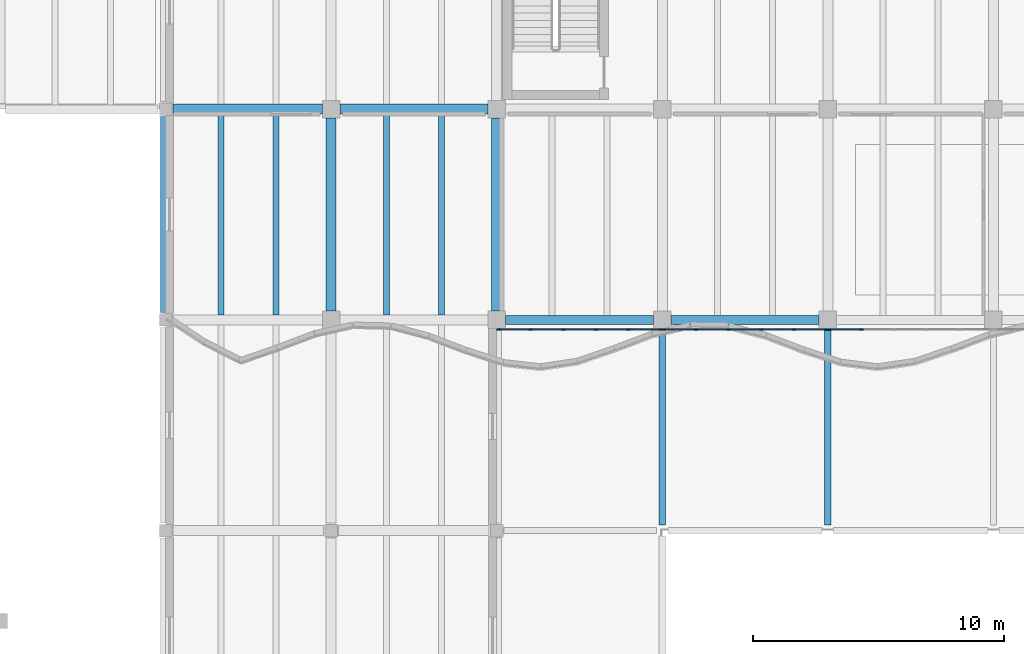
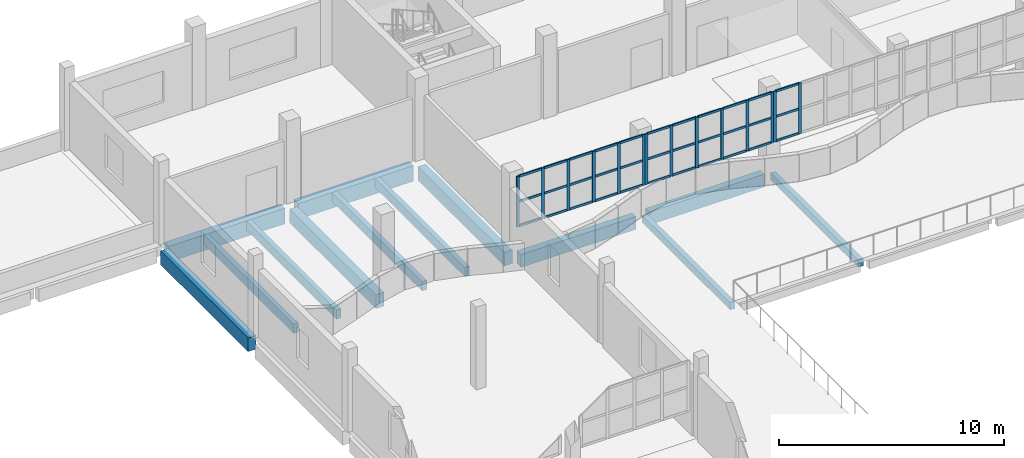
# One storey, part 10 of 83: 47 members, 13 beams, 3 elements without a shape of their own.
"""IFC4 building model written with IfcOpenShell, lengths in metres."""

from ifc_helpers import new_model, si_unit, direction, frame, origin, origin_2d, place, context, subcontext, project, spatial, rectangle, extrude, material, material_profile, profile_set, type_object, element, aggregate, save


model = new_model("IFC4")

# Units and contexts
model_context = context("Model", 3, precision=1e-05, world=origin(), true_north=direction((0.0, 1.0)))
body_context = subcontext(model_context, "Body", "Model", "MODEL_VIEW")
ifc_project = project(units=[si_unit("LENGTHUNIT", "METRE"), si_unit("AREAUNIT", "SQUARE_METRE"), si_unit("VOLUMEUNIT", "CUBIC_METRE"), si_unit("PLANEANGLEUNIT", "RADIAN"), si_unit("MASSUNIT", "GRAM", prefix="KILO")], contexts=[model_context])

# Site, building, storey
site_placement = place(None, origin())
site = spatial("IfcSite", under=ifc_project, at=site_placement, CompositionType="ELEMENT")
building_placement = place(site_placement, origin())
building = spatial("IfcBuilding", under=site, at=building_placement, Name="Qaldarim Faculty of Natural and Applied Sciences", CompositionType="ELEMENT")
storey_placement = place(building_placement, frame((0.0, 0.0, 5.39990234375)))
storey = spatial("IfcBuildingStorey", under=building, at=storey_placement, Name="L01", CompositionType="ELEMENT", Elevation=5.39990234375)

# Beams
ifc_material_1 = material(Name="Concrete C40/50", Category="concrete")
ifc_material_profile_1 = material_profile(ifc_material_1, rectangle(XDim=0.25, YDim=0.39990234375, at=origin_2d()), Name="RC-LN250x400")
ifc_profile_set_1 = profile_set([ifc_material_profile_1], Name="Concrete C40/50")
beam_type_1 = type_object("IfcBeamType", Name="ArcadeLintel-RC250x400", PredefinedType="LINTEL", material=ifc_profile_set_1)
for number, where, z_axis, x_axis, name in (
    (1, (52.800048828125, 92.625, -0.39990234375), (0.0, 1.0, 0.0), (-1.0, 0.0, 0.0), "Beam RC-LN250x400 L00 X09/Y12-Y13"),
    (2, (59.39990234375, 92.625, -0.39990234375), (0.0, 1.0, 0.0), (-1.0, 0.0, 0.0), "Beam RC-LN250x400 L00 X10/Y12-Y13"),
):
    element("IfcBeam", number, at=place(storey_placement, frame(where, z_axis=z_axis, x_axis=x_axis)), inside=storey, type_object=beam_type_1, Name=name, PredefinedType="LINTEL", context=body_context, shape_type="SweptSolid", body=[
        extrude(rectangle(XDim=0.25, YDim=0.39990234375, at=origin_2d()), origin(), (0.0, 0.0, 1.0), 7.824951171875),
    ])
ifc_material_profile_2 = material_profile(ifc_material_1, rectangle(XDim=0.239990234375, YDim=0.5, at=origin_2d()), Name="RC-J240x500")
ifc_profile_set_2 = profile_set([ifc_material_profile_2], Name="Concrete C40/50")
beam_type_2 = type_object("IfcBeamType", Name="HeavyJoist-RC240x500", PredefinedType="JOIST", material=ifc_profile_set_2)
for number, where, z_axis, x_axis, name in (
    (3, (35.199951171875, 101.0, -0.5498046875), (0.0, 1.0, 0.0), (-1.0, 0.0, 0.0), "Laboratory joist L00 bay X06Y13-1"),
    (4, (37.39990234375, 101.0, -0.5498046875), (0.0, 1.0, 0.0), (-1.0, 0.0, 0.0), "Laboratory joist L00 bay X06Y13-2"),
    (5, (41.800048828125, 101.0, -0.5498046875), (0.0, 1.0, 0.0), (-1.0, 0.0, 0.0), "Laboratory joist L00 bay X07Y13-1"),
    (6, (44.0, 101.0, -0.5498046875), (0.0, 1.0, 0.0), (-1.0, 0.0, 0.0), "Laboratory joist L00 bay X07Y13-2"),
):
    element("IfcBeam", number, at=place(storey_placement, frame(where, z_axis=z_axis, x_axis=x_axis)), inside=storey, type_object=beam_type_2, Name=name, PredefinedType="JOIST", context=body_context, shape_type="SweptSolid", body=[
        extrude(rectangle(XDim=0.239990234375, YDim=0.5, at=origin_2d()), origin(), (0.0, 0.0, 1.0), 8.0),
    ])
ifc_material_2 = material(Name="Concrete C50/60", Category="concrete")
ifc_material_profile_3 = material_profile(ifc_material_2, rectangle(XDim=0.39990234375, YDim=0.75, at=origin_2d()), Name="RC-B400x750")
ifc_profile_set_3 = profile_set([ifc_material_profile_3], Name="Concrete C50/60")
beam_type_3 = type_object("IfcBeamType", Name="LabGirder-RC400x750", PredefinedType="BEAM", material=ifc_profile_set_3)
beam_1_placement = place(storey_placement, frame((33.0, 101.10009765625, -0.6748046875), z_axis=(0.0, 1.0, 0.0), x_axis=(-1.0, 0.0, 0.0)))
element("IfcBeam", 7, at=beam_1_placement, inside=storey, type_object=beam_type_3, Name="Beam RC-B400x750 L00 X06/Y13-Y14", PredefinedType="BEAM", context=body_context, shape_type="SweptSolid", body=[
    extrude(rectangle(XDim=0.39990234375, YDim=0.75, at=origin_2d()), origin(), (0.0, 0.0, 1.0), 7.7998046875),
])
for number, where, z_axis, x_axis, name in (
    (8, (39.60009765625, 101.14990234375, -0.6748046875), (0.0, 1.0, 0.0), (-1.0, 0.0, 0.0), "Beam RC-B400x750 L00 X07/Y13-Y14"),
    (9, (46.199951171875, 101.14990234375, -0.6748046875), (0.0, 1.0, 0.0), (-1.0, 0.0, 0.0), "Beam RC-B400x750 L00 X08/Y13-Y14"),
):
    element("IfcBeam", number, at=place(storey_placement, frame(where, z_axis=z_axis, x_axis=x_axis)), inside=storey, type_object=beam_type_3, Name=name, PredefinedType="BEAM", context=body_context, shape_type="SweptSolid", body=[
        extrude(rectangle(XDim=0.39990234375, YDim=0.75, at=origin_2d()), origin(), (0.0, 0.0, 1.0), 7.7001953125),
    ])

# Curtain wall, members
ifc_material_3 = material(Name="Anodised aluminium AW-6063", Category="aluminium")
curtain_wall_type = type_object("IfcCurtainWallType", Name="CurtainWallSystem-M1400", PredefinedType="USERDEFINED", material=ifc_material_3)
curtain_wall_1_placement = place(storey_placement, origin())
curtain_wall_1 = element("IfcCurtainWall", 10, at=curtain_wall_1_placement, inside=storey, type_object=curtain_wall_type, Name="Curtain wall CW-V4RIB-L01-X08", ObjectType="STICK CURTAIN WALL", PredefinedType="USERDEFINED")
ifc_material_profile_4 = material_profile(ifc_material_3, rectangle(XDim=0.06005859375, YDim=0.14990234375, at=origin_2d()), Name="ALU-M60x150")
ifc_profile_set_4 = profile_set([ifc_material_profile_4], Name="Anodised aluminium AW-6063")
member_type_1 = type_object("IfcMemberType", Name="Mullion-ALU60x150", PredefinedType="MULLION", material=ifc_profile_set_4)
member_1_placement = place(storey_placement, frame((46.27001953125, 100.419921875, 1.4501953125), z_axis=(0.0, 0.0, 1.0), x_axis=(0.0, 1.0, 0.0)))
member_1 = element("IfcMember", 11, at=member_1_placement, type_object=member_type_1, Name="Mullion 1 of CW-V4RIB-L01-X08", PredefinedType="MULLION", context=body_context, shape_type="SweptSolid", body=[
    extrude(rectangle(XDim=0.06005859375, YDim=0.14990234375, at=origin_2d()), origin(), (0.0, 0.0, 1.0), 2.75),
])
member_2_placement = place(storey_placement, frame((47.5439453125, 100.419921875, 1.4501953125), z_axis=(0.0, 0.0, 1.0), x_axis=(0.0, 1.0, 0.0)))
member_2 = element("IfcMember", 12, at=member_2_placement, type_object=member_type_1, Name="Mullion 2 of CW-V4RIB-L01-X08", PredefinedType="MULLION", context=body_context, shape_type="SweptSolid", body=[
    extrude(rectangle(XDim=0.06005859375, YDim=0.14990234375, at=origin_2d()), origin(), (0.0, 0.0, 1.0), 2.75),
])
member_3_placement = place(storey_placement, frame((48.847900390625, 100.419921875, 1.4501953125), z_axis=(0.0, 0.0, 1.0), x_axis=(0.0, 1.0, 0.0)))
member_3 = element("IfcMember", 13, at=member_3_placement, type_object=member_type_1, Name="Mullion 3 of CW-V4RIB-L01-X08", PredefinedType="MULLION", context=body_context, shape_type="SweptSolid", body=[
    extrude(rectangle(XDim=0.06005859375, YDim=0.14990234375, at=origin_2d()), origin(), (0.0, 0.0, 1.0), 2.75),
])
member_4_placement = place(storey_placement, frame((50.152099609375, 100.419921875, 1.4501953125), z_axis=(0.0, 0.0, 1.0), x_axis=(0.0, 1.0, 0.0)))
member_4 = element("IfcMember", 14, at=member_4_placement, type_object=member_type_1, Name="Mullion 4 of CW-V4RIB-L01-X08", PredefinedType="MULLION", context=body_context, shape_type="SweptSolid", body=[
    extrude(rectangle(XDim=0.06005859375, YDim=0.14990234375, at=origin_2d()), origin(), (0.0, 0.0, 1.0), 2.75),
])
member_5_placement = place(storey_placement, frame((51.4560546875, 100.419921875, 1.4501953125), z_axis=(0.0, 0.0, 1.0), x_axis=(0.0, 1.0, 0.0)))
member_5 = element("IfcMember", 15, at=member_5_placement, type_object=member_type_1, Name="Mullion 5 of CW-V4RIB-L01-X08", PredefinedType="MULLION", context=body_context, shape_type="SweptSolid", body=[
    extrude(rectangle(XDim=0.06005859375, YDim=0.14990234375, at=origin_2d()), origin(), (0.0, 0.0, 1.0), 2.75),
])
member_6_placement = place(storey_placement, frame((52.72998046875, 100.419921875, 1.4501953125), z_axis=(0.0, 0.0, 1.0), x_axis=(0.0, 1.0, 0.0)))
member_6 = element("IfcMember", 16, at=member_6_placement, type_object=member_type_1, Name="Mullion 6 of CW-V4RIB-L01-X08", PredefinedType="MULLION", context=body_context, shape_type="SweptSolid", body=[
    extrude(rectangle(XDim=0.06005859375, YDim=0.14990234375, at=origin_2d()), origin(), (0.0, 0.0, 1.0), 2.75),
])

curtain_wall_2_placement = place(storey_placement, origin())
curtain_wall_2 = element("IfcCurtainWall", 17, at=curtain_wall_2_placement, inside=storey, type_object=curtain_wall_type, Name="Curtain wall CW-V4RIB-L01-X09", ObjectType="STICK CURTAIN WALL", PredefinedType="USERDEFINED")
member_7_placement = place(storey_placement, frame((52.8701171875, 100.419921875, 1.4501953125), z_axis=(0.0, 0.0, 1.0), x_axis=(0.0, 1.0, 0.0)))
member_7 = element("IfcMember", 18, at=member_7_placement, type_object=member_type_1, Name="Mullion 1 of CW-V4RIB-L01-X09", PredefinedType="MULLION", context=body_context, shape_type="SweptSolid", body=[
    extrude(rectangle(XDim=0.06005859375, YDim=0.14990234375, at=origin_2d()), origin(), (0.0, 0.0, 1.0), 2.75),
])
member_8_placement = place(storey_placement, frame((54.14404296875, 100.419921875, 1.4501953125), z_axis=(0.0, 0.0, 1.0), x_axis=(0.0, 1.0, 0.0)))
member_8 = element("IfcMember", 19, at=member_8_placement, type_object=member_type_1, Name="Mullion 2 of CW-V4RIB-L01-X09", PredefinedType="MULLION", context=body_context, shape_type="SweptSolid", body=[
    extrude(rectangle(XDim=0.06005859375, YDim=0.14990234375, at=origin_2d()), origin(), (0.0, 0.0, 1.0), 2.75),
])
member_9_placement = place(storey_placement, frame((55.447998046875, 100.419921875, 1.4501953125), z_axis=(0.0, 0.0, 1.0), x_axis=(0.0, 1.0, 0.0)))
member_9 = element("IfcMember", 20, at=member_9_placement, type_object=member_type_1, Name="Mullion 3 of CW-V4RIB-L01-X09", PredefinedType="MULLION", context=body_context, shape_type="SweptSolid", body=[
    extrude(rectangle(XDim=0.06005859375, YDim=0.14990234375, at=origin_2d()), origin(), (0.0, 0.0, 1.0), 2.75),
])
member_10_placement = place(storey_placement, frame((56.751953125, 100.419921875, 1.4501953125), z_axis=(0.0, 0.0, 1.0), x_axis=(0.0, 1.0, 0.0)))
member_10 = element("IfcMember", 21, at=member_10_placement, type_object=member_type_1, Name="Mullion 4 of CW-V4RIB-L01-X09", PredefinedType="MULLION", context=body_context, shape_type="SweptSolid", body=[
    extrude(rectangle(XDim=0.06005859375, YDim=0.14990234375, at=origin_2d()), origin(), (0.0, 0.0, 1.0), 2.75),
])
member_11_placement = place(storey_placement, frame((58.055908203125, 100.419921875, 1.4501953125), z_axis=(0.0, 0.0, 1.0), x_axis=(0.0, 1.0, 0.0)))
member_11 = element("IfcMember", 22, at=member_11_placement, type_object=member_type_1, Name="Mullion 5 of CW-V4RIB-L01-X09", PredefinedType="MULLION", context=body_context, shape_type="SweptSolid", body=[
    extrude(rectangle(XDim=0.06005859375, YDim=0.14990234375, at=origin_2d()), origin(), (0.0, 0.0, 1.0), 2.75),
])
member_12_placement = place(storey_placement, frame((59.330078125, 100.419921875, 1.4501953125), z_axis=(0.0, 0.0, 1.0), x_axis=(0.0, 1.0, 0.0)))
member_12 = element("IfcMember", 23, at=member_12_placement, type_object=member_type_1, Name="Mullion 6 of CW-V4RIB-L01-X09", PredefinedType="MULLION", context=body_context, shape_type="SweptSolid", body=[
    extrude(rectangle(XDim=0.06005859375, YDim=0.14990234375, at=origin_2d()), origin(), (0.0, 0.0, 1.0), 2.75),
])

curtain_wall_3_placement = place(storey_placement, origin())
curtain_wall_3 = element("IfcCurtainWall", 24, at=curtain_wall_3_placement, inside=storey, type_object=curtain_wall_type, Name="Curtain wall CW-V4RIB-L01-X10", ObjectType="STICK CURTAIN WALL", PredefinedType="USERDEFINED")
member_13_placement = place(storey_placement, frame((59.469970703125, 100.419921875, 1.4501953125), z_axis=(0.0, 0.0, 1.0), x_axis=(0.0, 1.0, 0.0)))
member_13 = element("IfcMember", 25, at=member_13_placement, type_object=member_type_1, Name="Mullion 1 of CW-V4RIB-L01-X10", PredefinedType="MULLION", context=body_context, shape_type="SweptSolid", body=[
    extrude(rectangle(XDim=0.06005859375, YDim=0.14990234375, at=origin_2d()), origin(), (0.0, 0.0, 1.0), 2.75),
])
member_14_placement = place(storey_placement, frame((60.743896484375, 100.419921875, 1.4501953125), z_axis=(0.0, 0.0, 1.0), x_axis=(0.0, 1.0, 0.0)))
member_14 = element("IfcMember", 26, at=member_14_placement, type_object=member_type_1, Name="Mullion 2 of CW-V4RIB-L01-X10", PredefinedType="MULLION", context=body_context, shape_type="SweptSolid", body=[
    extrude(rectangle(XDim=0.06005859375, YDim=0.14990234375, at=origin_2d()), origin(), (0.0, 0.0, 1.0), 2.75),
])

# Beams
ifc_material_profile_5 = material_profile(ifc_material_2, rectangle(XDim=0.39990234375, YDim=0.85009765625, at=origin_2d()), Name="RC-B400x850")
ifc_profile_set_5 = profile_set([ifc_material_profile_5], Name="Concrete C50/60")
beam_type_4 = type_object("IfcBeamType", Name="PodiumGirder-RC400x850", PredefinedType="BEAM", material=ifc_profile_set_5)
beam_2_placement = place(storey_placement, frame((33.300048828125, 109.199951171875, -0.724853515625), z_axis=(1.0, 0.0, 0.0), x_axis=(0.0, 1.0, 0.0)))
element("IfcBeam", 27, at=beam_2_placement, inside=storey, type_object=beam_type_4, Name="Beam RC-B400x850 L00 X06-X07/Y14", PredefinedType="BEAM", context=body_context, shape_type="SweptSolid", body=[
    extrude(rectangle(XDim=0.39990234375, YDim=0.85009765625, at=origin_2d()), origin(), (0.0, 0.0, 1.0), 5.949951171875),
])
beam_3_placement = place(storey_placement, frame((39.949951171875, 109.199951171875, -0.724853515625), z_axis=(1.0, 0.0, 0.0), x_axis=(0.0, 1.0, 0.0)))
element("IfcBeam", 28, at=beam_3_placement, inside=storey, type_object=beam_type_4, Name="Beam RC-B400x850 L00 X07-X08/Y14", PredefinedType="BEAM", context=body_context, shape_type="SweptSolid", body=[
    extrude(rectangle(XDim=0.39990234375, YDim=0.85009765625, at=origin_2d()), origin(), (0.0, 0.0, 1.0), 5.900146484375),
])
ifc_material_profile_6 = material_profile(ifc_material_1, rectangle(XDim=0.35009765625, YDim=0.699951171875, at=origin_2d()), Name="RC-B350x700")
ifc_profile_set_6 = profile_set([ifc_material_profile_6], Name="Concrete C40/50")
beam_type_5 = type_object("IfcBeamType", Name="PrimaryGirder-RC350x700", PredefinedType="BEAM", material=ifc_profile_set_6)
beam_4_placement = place(storey_placement, frame((46.550048828125, 100.800048828125, -0.64990234375), z_axis=(1.0, 0.0, 0.0), x_axis=(0.0, 1.0, 0.0)))
element("IfcBeam", 29, at=beam_4_placement, inside=storey, type_object=beam_type_5, Name="Beam RC-B350x700 L00 X08-X09/Y13", PredefinedType="BEAM", context=body_context, shape_type="SweptSolid", body=[
    extrude(rectangle(XDim=0.35009765625, YDim=0.699951171875, at=origin_2d()), origin(), (0.0, 0.0, 1.0), 5.89990234375),
])
beam_5_placement = place(storey_placement, frame((53.14990234375, 100.800048828125, -0.64990234375), z_axis=(1.0, 0.0, 0.0), x_axis=(0.0, 1.0, 0.0)))
element("IfcBeam", 30, at=beam_5_placement, inside=storey, type_object=beam_type_5, Name="Beam RC-B350x700 L00 X09-X10/Y13", PredefinedType="BEAM", context=body_context, shape_type="SweptSolid", body=[
    extrude(rectangle(XDim=0.35009765625, YDim=0.699951171875, at=origin_2d()), origin(), (0.0, 0.0, 1.0), 5.900146484375),
])

# Member
ifc_material_profile_7 = material_profile(ifc_material_3, rectangle(XDim=0.06005859375, YDim=0.1201171875, at=origin_2d()), Name="ALU-T60x120")
ifc_profile_set_7 = profile_set([ifc_material_profile_7], Name="Anodised aluminium AW-6063")
member_type_2 = type_object("IfcMemberType", Name="Transom-ALU60x120", PredefinedType="USERDEFINED", material=ifc_profile_set_7)
member_15_placement = place(storey_placement, frame((46.300048828125, 100.419921875, 1.47998046875), z_axis=(1.0, 0.0, 0.0), x_axis=(0.0, 1.0, 0.0)))
member_15 = element("IfcMember", 31, at=member_15_placement, type_object=member_type_2, Name="Transom 1-1 of CW-V4RIB-L01-X08", ObjectType="TRANSOM", PredefinedType="USERDEFINED", context=body_context, shape_type="SweptSolid", body=[
    extrude(rectangle(XDim=0.06005859375, YDim=0.1201171875, at=origin_2d()), origin(), (0.0, 0.0, 1.0), 1.2138671875),
])

member_16_placement = place(storey_placement, frame((46.300048828125, 100.419921875, 2.800048828125), z_axis=(1.0, 0.0, 0.0), x_axis=(0.0, 1.0, 0.0)))
member_16 = element("IfcMember", 32, at=member_16_placement, type_object=member_type_2, Name="Transom 1-2 of CW-V4RIB-L01-X08", ObjectType="TRANSOM", PredefinedType="USERDEFINED", context=body_context, shape_type="SweptSolid", body=[
    extrude(rectangle(XDim=0.06005859375, YDim=0.1201171875, at=origin_2d()), origin(), (0.0, 0.0, 1.0), 1.2138671875),
])

member_17_placement = place(storey_placement, frame((46.300048828125, 100.419921875, 4.170166015625), z_axis=(1.0, 0.0, 0.0), x_axis=(0.0, 1.0, 0.0)))
member_17 = element("IfcMember", 33, at=member_17_placement, type_object=member_type_2, Name="Transom 1-3 of CW-V4RIB-L01-X08", ObjectType="TRANSOM", PredefinedType="USERDEFINED", context=body_context, shape_type="SweptSolid", body=[
    extrude(rectangle(XDim=0.06005859375, YDim=0.1201171875, at=origin_2d()), origin(), (0.0, 0.0, 1.0), 1.2138671875),
])

member_18_placement = place(storey_placement, frame((47.573974609375, 100.419921875, 1.47998046875), z_axis=(1.0, 0.0, 0.0), x_axis=(0.0, 1.0, 0.0)))
member_18 = element("IfcMember", 34, at=member_18_placement, type_object=member_type_2, Name="Transom 2-1 of CW-V4RIB-L01-X08", ObjectType="TRANSOM", PredefinedType="USERDEFINED", context=body_context, shape_type="SweptSolid", body=[
    extrude(rectangle(XDim=0.06005859375, YDim=0.1201171875, at=origin_2d()), origin(), (0.0, 0.0, 1.0), 1.244140625),
])

member_19_placement = place(storey_placement, frame((47.573974609375, 100.419921875, 2.800048828125), z_axis=(1.0, 0.0, 0.0), x_axis=(0.0, 1.0, 0.0)))
member_19 = element("IfcMember", 35, at=member_19_placement, type_object=member_type_2, Name="Transom 2-2 of CW-V4RIB-L01-X08", ObjectType="TRANSOM", PredefinedType="USERDEFINED", context=body_context, shape_type="SweptSolid", body=[
    extrude(rectangle(XDim=0.06005859375, YDim=0.1201171875, at=origin_2d()), origin(), (0.0, 0.0, 1.0), 1.244140625),
])

member_20_placement = place(storey_placement, frame((47.573974609375, 100.419921875, 4.170166015625), z_axis=(1.0, 0.0, 0.0), x_axis=(0.0, 1.0, 0.0)))
member_20 = element("IfcMember", 36, at=member_20_placement, type_object=member_type_2, Name="Transom 2-3 of CW-V4RIB-L01-X08", ObjectType="TRANSOM", PredefinedType="USERDEFINED", context=body_context, shape_type="SweptSolid", body=[
    extrude(rectangle(XDim=0.06005859375, YDim=0.1201171875, at=origin_2d()), origin(), (0.0, 0.0, 1.0), 1.244140625),
])

member_21_placement = place(storey_placement, frame((48.8779296875, 100.419921875, 1.47998046875), z_axis=(1.0, 0.0, 0.0), x_axis=(0.0, 1.0, 0.0)))
member_21 = element("IfcMember", 37, at=member_21_placement, type_object=member_type_2, Name="Transom 3-1 of CW-V4RIB-L01-X08", ObjectType="TRANSOM", PredefinedType="USERDEFINED", context=body_context, shape_type="SweptSolid", body=[
    extrude(rectangle(XDim=0.06005859375, YDim=0.1201171875, at=origin_2d()), origin(), (0.0, 0.0, 1.0), 1.244140625),
])

member_22_placement = place(storey_placement, frame((48.8779296875, 100.419921875, 2.800048828125), z_axis=(1.0, 0.0, 0.0), x_axis=(0.0, 1.0, 0.0)))
member_22 = element("IfcMember", 38, at=member_22_placement, type_object=member_type_2, Name="Transom 3-2 of CW-V4RIB-L01-X08", ObjectType="TRANSOM", PredefinedType="USERDEFINED", context=body_context, shape_type="SweptSolid", body=[
    extrude(rectangle(XDim=0.06005859375, YDim=0.1201171875, at=origin_2d()), origin(), (0.0, 0.0, 1.0), 1.244140625),
])

member_23_placement = place(storey_placement, frame((48.8779296875, 100.419921875, 4.170166015625), z_axis=(1.0, 0.0, 0.0), x_axis=(0.0, 1.0, 0.0)))
member_23 = element("IfcMember", 39, at=member_23_placement, type_object=member_type_2, Name="Transom 3-3 of CW-V4RIB-L01-X08", ObjectType="TRANSOM", PredefinedType="USERDEFINED", context=body_context, shape_type="SweptSolid", body=[
    extrude(rectangle(XDim=0.06005859375, YDim=0.1201171875, at=origin_2d()), origin(), (0.0, 0.0, 1.0), 1.244140625),
])

member_24_placement = place(storey_placement, frame((50.181884765625, 100.419921875, 1.47998046875), z_axis=(1.0, 0.0, 0.0), x_axis=(0.0, 1.0, 0.0)))
member_24 = element("IfcMember", 40, at=member_24_placement, type_object=member_type_2, Name="Transom 4-1 of CW-V4RIB-L01-X08", ObjectType="TRANSOM", PredefinedType="USERDEFINED", context=body_context, shape_type="SweptSolid", body=[
    extrude(rectangle(XDim=0.06005859375, YDim=0.1201171875, at=origin_2d()), origin(), (0.0, 0.0, 1.0), 1.244140625),
])

member_25_placement = place(storey_placement, frame((50.181884765625, 100.419921875, 2.800048828125), z_axis=(1.0, 0.0, 0.0), x_axis=(0.0, 1.0, 0.0)))
member_25 = element("IfcMember", 41, at=member_25_placement, type_object=member_type_2, Name="Transom 4-2 of CW-V4RIB-L01-X08", ObjectType="TRANSOM", PredefinedType="USERDEFINED", context=body_context, shape_type="SweptSolid", body=[
    extrude(rectangle(XDim=0.06005859375, YDim=0.1201171875, at=origin_2d()), origin(), (0.0, 0.0, 1.0), 1.244140625),
])

member_26_placement = place(storey_placement, frame((50.181884765625, 100.419921875, 4.170166015625), z_axis=(1.0, 0.0, 0.0), x_axis=(0.0, 1.0, 0.0)))
member_26 = element("IfcMember", 42, at=member_26_placement, type_object=member_type_2, Name="Transom 4-3 of CW-V4RIB-L01-X08", ObjectType="TRANSOM", PredefinedType="USERDEFINED", context=body_context, shape_type="SweptSolid", body=[
    extrude(rectangle(XDim=0.06005859375, YDim=0.1201171875, at=origin_2d()), origin(), (0.0, 0.0, 1.0), 1.244140625),
])

member_27_placement = place(storey_placement, frame((51.486083984375, 100.419921875, 1.47998046875), z_axis=(1.0, 0.0, 0.0), x_axis=(0.0, 1.0, 0.0)))
member_27 = element("IfcMember", 43, at=member_27_placement, type_object=member_type_2, Name="Transom 5-1 of CW-V4RIB-L01-X08", ObjectType="TRANSOM", PredefinedType="USERDEFINED", context=body_context, shape_type="SweptSolid", body=[
    extrude(rectangle(XDim=0.06005859375, YDim=0.1201171875, at=origin_2d()), origin(), (0.0, 0.0, 1.0), 1.2138671875),
])

member_28_placement = place(storey_placement, frame((51.486083984375, 100.419921875, 2.800048828125), z_axis=(1.0, 0.0, 0.0), x_axis=(0.0, 1.0, 0.0)))
member_28 = element("IfcMember", 44, at=member_28_placement, type_object=member_type_2, Name="Transom 5-2 of CW-V4RIB-L01-X08", ObjectType="TRANSOM", PredefinedType="USERDEFINED", context=body_context, shape_type="SweptSolid", body=[
    extrude(rectangle(XDim=0.06005859375, YDim=0.1201171875, at=origin_2d()), origin(), (0.0, 0.0, 1.0), 1.2138671875),
])

member_29_placement = place(storey_placement, frame((51.486083984375, 100.419921875, 4.170166015625), z_axis=(1.0, 0.0, 0.0), x_axis=(0.0, 1.0, 0.0)))
member_29 = element("IfcMember", 45, at=member_29_placement, type_object=member_type_2, Name="Transom 5-3 of CW-V4RIB-L01-X08", ObjectType="TRANSOM", PredefinedType="USERDEFINED", context=body_context, shape_type="SweptSolid", body=[
    extrude(rectangle(XDim=0.06005859375, YDim=0.1201171875, at=origin_2d()), origin(), (0.0, 0.0, 1.0), 1.2138671875),
])

aggregate(curtain_wall_1, [member_1, member_2, member_3, member_4, member_5, member_6, member_15, member_16, member_17, member_18, member_19, member_20, member_21, member_22, member_23, member_24, member_25, member_26, member_27, member_28, member_29])

member_30_placement = place(storey_placement, frame((52.89990234375, 100.419921875, 1.47998046875), z_axis=(1.0, 0.0, 0.0), x_axis=(0.0, 1.0, 0.0)))
member_30 = element("IfcMember", 46, at=member_30_placement, type_object=member_type_2, Name="Transom 1-1 of CW-V4RIB-L01-X09", ObjectType="TRANSOM", PredefinedType="USERDEFINED", context=body_context, shape_type="SweptSolid", body=[
    extrude(rectangle(XDim=0.06005859375, YDim=0.1201171875, at=origin_2d()), origin(), (0.0, 0.0, 1.0), 1.214111328125),
])

member_31_placement = place(storey_placement, frame((52.89990234375, 100.419921875, 2.800048828125), z_axis=(1.0, 0.0, 0.0), x_axis=(0.0, 1.0, 0.0)))
member_31 = element("IfcMember", 47, at=member_31_placement, type_object=member_type_2, Name="Transom 1-2 of CW-V4RIB-L01-X09", ObjectType="TRANSOM", PredefinedType="USERDEFINED", context=body_context, shape_type="SweptSolid", body=[
    extrude(rectangle(XDim=0.06005859375, YDim=0.1201171875, at=origin_2d()), origin(), (0.0, 0.0, 1.0), 1.214111328125),
])

member_32_placement = place(storey_placement, frame((52.89990234375, 100.419921875, 4.170166015625), z_axis=(1.0, 0.0, 0.0), x_axis=(0.0, 1.0, 0.0)))
member_32 = element("IfcMember", 48, at=member_32_placement, type_object=member_type_2, Name="Transom 1-3 of CW-V4RIB-L01-X09", ObjectType="TRANSOM", PredefinedType="USERDEFINED", context=body_context, shape_type="SweptSolid", body=[
    extrude(rectangle(XDim=0.06005859375, YDim=0.1201171875, at=origin_2d()), origin(), (0.0, 0.0, 1.0), 1.214111328125),
])

member_33_placement = place(storey_placement, frame((54.174072265625, 100.419921875, 1.47998046875), z_axis=(1.0, 0.0, 0.0), x_axis=(0.0, 1.0, 0.0)))
member_33 = element("IfcMember", 49, at=member_33_placement, type_object=member_type_2, Name="Transom 2-1 of CW-V4RIB-L01-X09", ObjectType="TRANSOM", PredefinedType="USERDEFINED", context=body_context, shape_type="SweptSolid", body=[
    extrude(rectangle(XDim=0.06005859375, YDim=0.1201171875, at=origin_2d()), origin(), (0.0, 0.0, 1.0), 1.243896484375),
])

member_34_placement = place(storey_placement, frame((54.174072265625, 100.419921875, 2.800048828125), z_axis=(1.0, 0.0, 0.0), x_axis=(0.0, 1.0, 0.0)))
member_34 = element("IfcMember", 50, at=member_34_placement, type_object=member_type_2, Name="Transom 2-2 of CW-V4RIB-L01-X09", ObjectType="TRANSOM", PredefinedType="USERDEFINED", context=body_context, shape_type="SweptSolid", body=[
    extrude(rectangle(XDim=0.06005859375, YDim=0.1201171875, at=origin_2d()), origin(), (0.0, 0.0, 1.0), 1.243896484375),
])

member_35_placement = place(storey_placement, frame((54.174072265625, 100.419921875, 4.170166015625), z_axis=(1.0, 0.0, 0.0), x_axis=(0.0, 1.0, 0.0)))
member_35 = element("IfcMember", 51, at=member_35_placement, type_object=member_type_2, Name="Transom 2-3 of CW-V4RIB-L01-X09", ObjectType="TRANSOM", PredefinedType="USERDEFINED", context=body_context, shape_type="SweptSolid", body=[
    extrude(rectangle(XDim=0.06005859375, YDim=0.1201171875, at=origin_2d()), origin(), (0.0, 0.0, 1.0), 1.243896484375),
])

member_36_placement = place(storey_placement, frame((55.47802734375, 100.419921875, 1.47998046875), z_axis=(1.0, 0.0, 0.0), x_axis=(0.0, 1.0, 0.0)))
member_36 = element("IfcMember", 52, at=member_36_placement, type_object=member_type_2, Name="Transom 3-1 of CW-V4RIB-L01-X09", ObjectType="TRANSOM", PredefinedType="USERDEFINED", context=body_context, shape_type="SweptSolid", body=[
    extrude(rectangle(XDim=0.06005859375, YDim=0.1201171875, at=origin_2d()), origin(), (0.0, 0.0, 1.0), 1.243896484375),
])

member_37_placement = place(storey_placement, frame((55.47802734375, 100.419921875, 2.800048828125), z_axis=(1.0, 0.0, 0.0), x_axis=(0.0, 1.0, 0.0)))
member_37 = element("IfcMember", 53, at=member_37_placement, type_object=member_type_2, Name="Transom 3-2 of CW-V4RIB-L01-X09", ObjectType="TRANSOM", PredefinedType="USERDEFINED", context=body_context, shape_type="SweptSolid", body=[
    extrude(rectangle(XDim=0.06005859375, YDim=0.1201171875, at=origin_2d()), origin(), (0.0, 0.0, 1.0), 1.243896484375),
])

member_38_placement = place(storey_placement, frame((55.47802734375, 100.419921875, 4.170166015625), z_axis=(1.0, 0.0, 0.0), x_axis=(0.0, 1.0, 0.0)))
member_38 = element("IfcMember", 54, at=member_38_placement, type_object=member_type_2, Name="Transom 3-3 of CW-V4RIB-L01-X09", ObjectType="TRANSOM", PredefinedType="USERDEFINED", context=body_context, shape_type="SweptSolid", body=[
    extrude(rectangle(XDim=0.06005859375, YDim=0.1201171875, at=origin_2d()), origin(), (0.0, 0.0, 1.0), 1.243896484375),
])

member_39_placement = place(storey_placement, frame((56.781982421875, 100.419921875, 1.47998046875), z_axis=(1.0, 0.0, 0.0), x_axis=(0.0, 1.0, 0.0)))
member_39 = element("IfcMember", 55, at=member_39_placement, type_object=member_type_2, Name="Transom 4-1 of CW-V4RIB-L01-X09", ObjectType="TRANSOM", PredefinedType="USERDEFINED", context=body_context, shape_type="SweptSolid", body=[
    extrude(rectangle(XDim=0.06005859375, YDim=0.1201171875, at=origin_2d()), origin(), (0.0, 0.0, 1.0), 1.243896484375),
])

member_40_placement = place(storey_placement, frame((56.781982421875, 100.419921875, 2.800048828125), z_axis=(1.0, 0.0, 0.0), x_axis=(0.0, 1.0, 0.0)))
member_40 = element("IfcMember", 56, at=member_40_placement, type_object=member_type_2, Name="Transom 4-2 of CW-V4RIB-L01-X09", ObjectType="TRANSOM", PredefinedType="USERDEFINED", context=body_context, shape_type="SweptSolid", body=[
    extrude(rectangle(XDim=0.06005859375, YDim=0.1201171875, at=origin_2d()), origin(), (0.0, 0.0, 1.0), 1.243896484375),
])

member_41_placement = place(storey_placement, frame((56.781982421875, 100.419921875, 4.170166015625), z_axis=(1.0, 0.0, 0.0), x_axis=(0.0, 1.0, 0.0)))
member_41 = element("IfcMember", 57, at=member_41_placement, type_object=member_type_2, Name="Transom 4-3 of CW-V4RIB-L01-X09", ObjectType="TRANSOM", PredefinedType="USERDEFINED", context=body_context, shape_type="SweptSolid", body=[
    extrude(rectangle(XDim=0.06005859375, YDim=0.1201171875, at=origin_2d()), origin(), (0.0, 0.0, 1.0), 1.243896484375),
])

member_42_placement = place(storey_placement, frame((58.0859375, 100.419921875, 1.47998046875), z_axis=(1.0, 0.0, 0.0), x_axis=(0.0, 1.0, 0.0)))
member_42 = element("IfcMember", 58, at=member_42_placement, type_object=member_type_2, Name="Transom 5-1 of CW-V4RIB-L01-X09", ObjectType="TRANSOM", PredefinedType="USERDEFINED", context=body_context, shape_type="SweptSolid", body=[
    extrude(rectangle(XDim=0.06005859375, YDim=0.1201171875, at=origin_2d()), origin(), (0.0, 0.0, 1.0), 1.214111328125),
])

member_43_placement = place(storey_placement, frame((58.0859375, 100.419921875, 2.800048828125), z_axis=(1.0, 0.0, 0.0), x_axis=(0.0, 1.0, 0.0)))
member_43 = element("IfcMember", 59, at=member_43_placement, type_object=member_type_2, Name="Transom 5-2 of CW-V4RIB-L01-X09", ObjectType="TRANSOM", PredefinedType="USERDEFINED", context=body_context, shape_type="SweptSolid", body=[
    extrude(rectangle(XDim=0.06005859375, YDim=0.1201171875, at=origin_2d()), origin(), (0.0, 0.0, 1.0), 1.214111328125),
])

member_44_placement = place(storey_placement, frame((58.0859375, 100.419921875, 4.170166015625), z_axis=(1.0, 0.0, 0.0), x_axis=(0.0, 1.0, 0.0)))
member_44 = element("IfcMember", 60, at=member_44_placement, type_object=member_type_2, Name="Transom 5-3 of CW-V4RIB-L01-X09", ObjectType="TRANSOM", PredefinedType="USERDEFINED", context=body_context, shape_type="SweptSolid", body=[
    extrude(rectangle(XDim=0.06005859375, YDim=0.1201171875, at=origin_2d()), origin(), (0.0, 0.0, 1.0), 1.214111328125),
])

aggregate(curtain_wall_2, [member_7, member_8, member_9, member_10, member_11, member_12, member_30, member_31, member_32, member_33, member_34, member_35, member_36, member_37, member_38, member_39, member_40, member_41, member_42, member_43, member_44])

member_45_placement = place(storey_placement, frame((59.5, 100.419921875, 1.47998046875), z_axis=(1.0, 0.0, 0.0), x_axis=(0.0, 1.0, 0.0)))
member_45 = element("IfcMember", 61, at=member_45_placement, type_object=member_type_2, Name="Transom 1-1 of CW-V4RIB-L01-X10", ObjectType="TRANSOM", PredefinedType="USERDEFINED", context=body_context, shape_type="SweptSolid", body=[
    extrude(rectangle(XDim=0.06005859375, YDim=0.1201171875, at=origin_2d()), origin(), (0.0, 0.0, 1.0), 1.214111328125),
])

member_46_placement = place(storey_placement, frame((59.5, 100.419921875, 2.800048828125), z_axis=(1.0, 0.0, 0.0), x_axis=(0.0, 1.0, 0.0)))
member_46 = element("IfcMember", 62, at=member_46_placement, type_object=member_type_2, Name="Transom 1-2 of CW-V4RIB-L01-X10", ObjectType="TRANSOM", PredefinedType="USERDEFINED", context=body_context, shape_type="SweptSolid", body=[
    extrude(rectangle(XDim=0.06005859375, YDim=0.1201171875, at=origin_2d()), origin(), (0.0, 0.0, 1.0), 1.214111328125),
])

member_47_placement = place(storey_placement, frame((59.5, 100.419921875, 4.170166015625), z_axis=(1.0, 0.0, 0.0), x_axis=(0.0, 1.0, 0.0)))
member_47 = element("IfcMember", 63, at=member_47_placement, type_object=member_type_2, Name="Transom 1-3 of CW-V4RIB-L01-X10", ObjectType="TRANSOM", PredefinedType="USERDEFINED", context=body_context, shape_type="SweptSolid", body=[
    extrude(rectangle(XDim=0.06005859375, YDim=0.1201171875, at=origin_2d()), origin(), (0.0, 0.0, 1.0), 1.214111328125),
])

aggregate(curtain_wall_3, [member_13, member_14, member_45, member_46, member_47])

save(model, "model.ifc")
